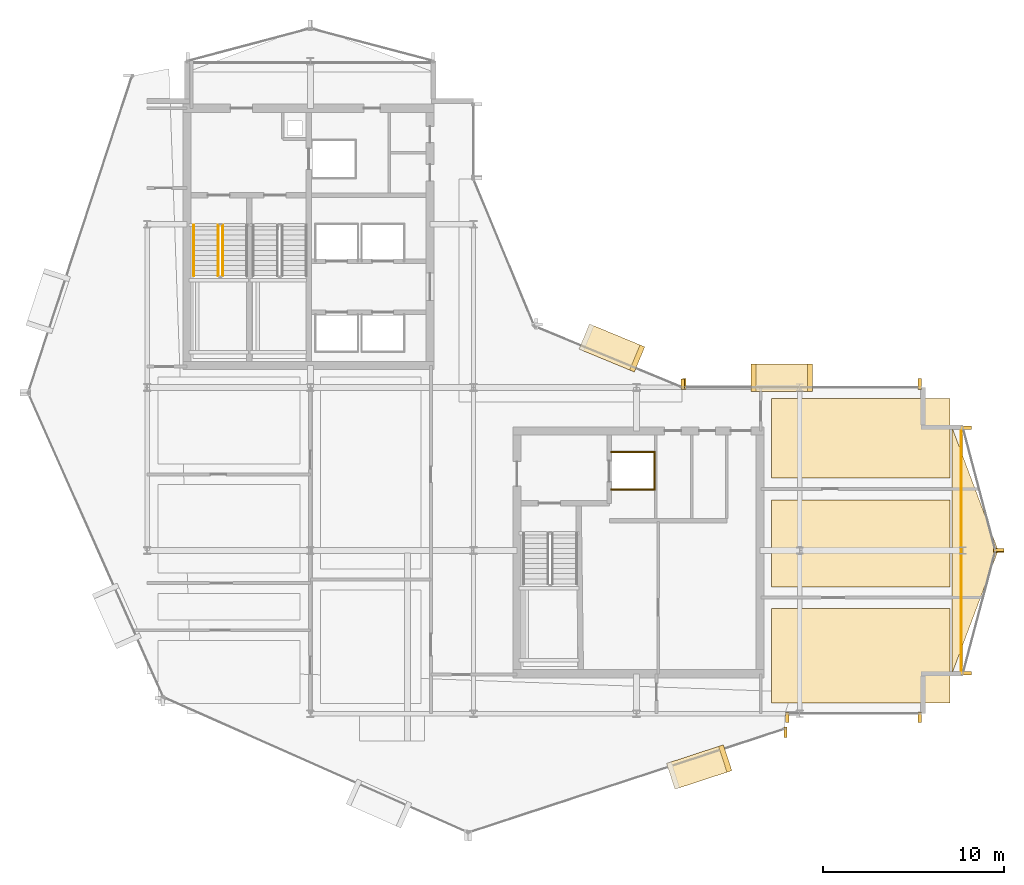
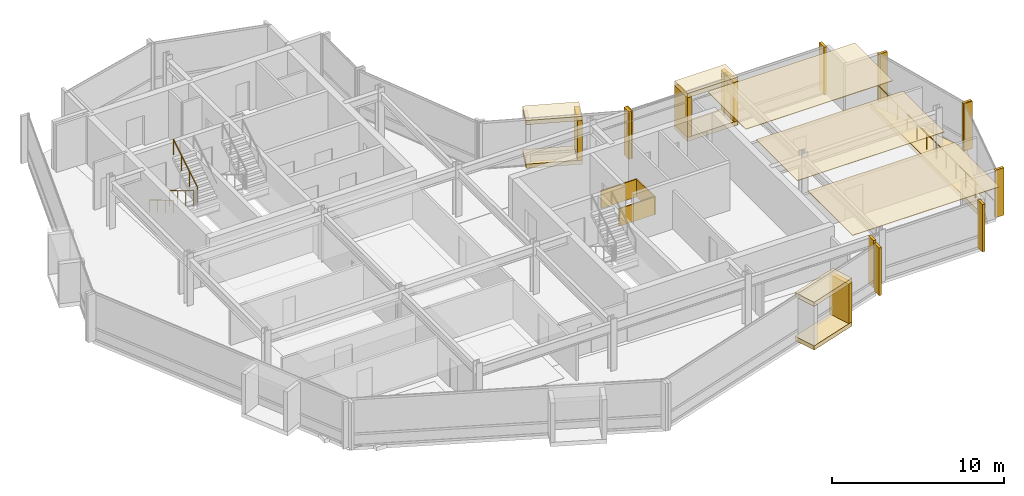
# One storey, part 26 of 27: 27 coverings, 4 railings.
"""IFC4 building model written with IfcOpenShell, lengths in metres."""

from ifc_helpers import new_model, si_unit, direction, frame, origin, origin_2d, place, context, subcontext, project, spatial, polyline, rectangle, circle, outline, extrude, material, layer, layer_set, type_object, element, save


model = new_model("IFC4")

# Units and contexts
model_context = context("Model", 3, precision=1e-05, world=origin(), true_north=direction((0.0, 1.0)))
body_context = subcontext(model_context, "Body", "Model", "MODEL_VIEW")
ifc_project = project(units=[si_unit("LENGTHUNIT", "METRE"), si_unit("AREAUNIT", "SQUARE_METRE"), si_unit("VOLUMEUNIT", "CUBIC_METRE"), si_unit("PLANEANGLEUNIT", "RADIAN"), si_unit("MASSUNIT", "GRAM", prefix="KILO")], contexts=[model_context])

# Site, building, storey
site_placement = place(None, origin())
site = spatial("IfcSite", under=ifc_project, at=site_placement, CompositionType="ELEMENT")
building_placement = place(site_placement, origin())
building = spatial("IfcBuilding", under=site, at=building_placement, Name="Solvaryn Broadcast Tower", CompositionType="ELEMENT")
storey_placement = place(building_placement, frame((0.0, 0.0, 232.10009765625)))
storey = spatial("IfcBuildingStorey", under=building, at=storey_placement, Name="L58", CompositionType="ELEMENT", Elevation=232.10009765625)

# Coverings
ifc_material_1 = material(Name="Micro-Perforated Acoustic Gypsum Ceiling", Category="concrete")
ifc_layer_1 = layer(ifc_material_1, 0.0400390625)
ifc_layer_set_1 = layer_set([ifc_layer_1], Name="CV-CEIL-ACOUSTIC")
covering_type_1 = type_object("IfcCoveringType", Name="CV-CEIL-ACOUSTIC", PredefinedType="CEILING", material=ifc_layer_set_1)
covering_1_placement = place(storey_placement, frame((0.0, 0.0, 3.329833984375)))
element("IfcCovering", 1, at=covering_1_placement, inside=storey, type_object=covering_type_1, Name="L58 Room Acoustic Ceiling 7", PredefinedType="CEILING", context=body_context, shape_type="SweptSolid", body=[
    extrude(outline(polyline([(43.449951171875, 9.60009765625), (53.300048828125, 9.60009765625), (53.300048828125, 14.800048828125), (43.449951171875, 14.800048828125), (43.449951171875, 9.60009765625)])), origin(), (0.0, 0.0, 1.0), 0.0400390625),
])
covering_2_placement = place(storey_placement, frame((0.0, 0.0, 3.329833984375)))
element("IfcCovering", 2, at=covering_2_placement, inside=storey, type_object=covering_type_1, Name="L58 Room Acoustic Ceiling 8", PredefinedType="CEILING", context=body_context, shape_type="SweptSolid", body=[
    extrude(outline(polyline([(43.449951171875, 16.0), (53.300048828125, 16.0), (53.300048828125, 20.800048828125), (43.449951171875, 20.800048828125), (43.449951171875, 16.0)])), origin(), (0.0, 0.0, 1.0), 0.0400390625),
])
covering_3_placement = place(storey_placement, frame((0.0, 0.0, 3.329833984375)))
element("IfcCovering", 3, at=covering_3_placement, inside=storey, type_object=covering_type_1, Name="L58 Room Acoustic Ceiling 9", PredefinedType="CEILING", context=body_context, shape_type="SweptSolid", body=[
    extrude(outline(polyline([(43.449951171875, 22.0), (53.300048828125, 22.0), (53.300048828125, 26.39990234375), (43.449951171875, 26.39990234375), (43.449951171875, 22.0)])), origin(), (0.0, 0.0, 1.0), 0.0400390625),
])
ifc_material_2 = material(Name="Fire-Rated Gypsum Shaftwall Liner", Category="concrete")
ifc_layer_2 = layer(ifc_material_2, 0.080078125)
ifc_layer_set_2 = layer_set([ifc_layer_2], Name="CV-SHAFT-LINER")
covering_type_2 = type_object("IfcCoveringType", Name="CV-SHAFT-LINER", PredefinedType="CLADDING", material=ifc_layer_set_2)
for number, where, z_axis, x_axis, name in (
    (4, (35.800048828125, 23.43994140625, 0.0), (0.0, 0.0, 1.0), (1.0, 0.0, 0.0), "L58 FL2 Hoistway Shaft Liner North"),
    (5, (35.800048828125, 21.360107421875, 0.0), (0.0, 0.0, 1.0), (1.0, 0.0, 0.0), "L58 FL2 Hoistway Shaft Liner South"),
):
    element("IfcCovering", number, at=place(storey_placement, frame(where, z_axis=z_axis, x_axis=x_axis)), inside=storey, type_object=covering_type_2, Name=name, PredefinedType="CLADDING", context=body_context, shape_type="SweptSolid", body=[
        extrude(rectangle(XDim=2.4599609375, YDim=0.080078125, at=origin_2d()), origin(), (0.0, 0.0, 1.0), 1.25),
    ])
covering_4_placement = place(storey_placement, frame((36.989990234375, 22.39990234375, 0.0), z_axis=(0.0, 0.0, 1.0), x_axis=(1.0, 0.0, 0.0)))
element("IfcCovering", 6, at=covering_4_placement, inside=storey, type_object=covering_type_2, Name="L58 FL2 Hoistway Shaft Liner East", PredefinedType="CLADDING", context=body_context, shape_type="SweptSolid", body=[
    extrude(rectangle(XDim=0.080078125, YDim=2.159912109375, at=origin_2d()), origin(), (0.0, 0.0, 1.0), 1.25),
])
ifc_material_3 = material(Name="Glazed Architectural Terracotta Rainscreen Cladding", Category="masonry")
ifc_layer_3 = layer(ifc_material_3, 0.280029296875)
ifc_layer_set_3 = layer_set([ifc_layer_3], Name="CV-TC-CLAD")
covering_type_3 = type_object("IfcCoveringType", Name="CV-TC-CLAD", PredefinedType="CLADDING", material=ifc_layer_set_3)
for number, where, z_axis, x_axis, name in (
    (7, (39.4541015625, 6.054931640625, 3.080078125), (0.0, 0.0, 1.0), (0.950244253402, 0.311505792684, 0.0), "L58 Projecting Stone Window Box Hood 4"),
    (8, (39.4541015625, 6.054931640625, -0.01025390625), (0.0, 0.0, 1.0), (0.950244253402, 0.311505792684, 0.0), "L58 Projecting Stone Window Box Sill 4"),
):
    element("IfcCovering", number, at=place(storey_placement, frame(where, z_axis=z_axis, x_axis=x_axis)), inside=storey, type_object=covering_type_3, Name=name, PredefinedType="CLADDING", context=body_context, shape_type="SweptSolid", body=[
        extrude(rectangle(XDim=3.300048828125, YDim=1.5, at=origin_2d()), origin(), (0.0, 0.0, 1.0), 0.300048828125),
    ])
covering_5_placement = place(storey_placement, frame((40.888916015625, 6.525390625, 0.27978515625), z_axis=(0.0, 0.0, 1.0), x_axis=(0.950244253402, 0.311505792684, 0.0)))
element("IfcCovering", 9, at=covering_5_placement, inside=storey, type_object=covering_type_3, Name="L58 Projecting Stone Window Box Cheek 4-2", PredefinedType="CLADDING", context=body_context, shape_type="SweptSolid", body=[
    extrude(rectangle(XDim=0.280029296875, YDim=1.5, at=origin_2d()), origin(), (0.0, 0.0, 1.0), 2.81005859375),
])
for number, where, z_axis, x_axis, name in (
    (10, (34.636962890625, 29.174072265625, 3.080078125), (0.0, 0.0, 1.0), (-0.923879532511, 0.382683432365, 0.0), "L58 Projecting Stone Window Box Hood 5"),
    (11, (34.636962890625, 29.174072265625, -0.01025390625), (0.0, 0.0, 1.0), (-0.923879532511, 0.382683432365, 0.0), "L58 Projecting Stone Window Box Sill 5"),
):
    element("IfcCovering", number, at=place(storey_placement, frame(where, z_axis=z_axis, x_axis=x_axis)), inside=storey, type_object=covering_type_3, Name=name, PredefinedType="CLADDING", context=body_context, shape_type="SweptSolid", body=[
        extrude(rectangle(XDim=3.300048828125, YDim=1.5, at=origin_2d()), origin(), (0.0, 0.0, 1.0), 0.300048828125),
    ])
covering_6_placement = place(storey_placement, frame((36.031982421875, 28.59619140625, 0.27978515625), z_axis=(0.0, 0.0, 1.0), x_axis=(-0.923879532511, 0.382683432365, 0.0)))
element("IfcCovering", 12, at=covering_6_placement, inside=storey, type_object=covering_type_3, Name="L58 Projecting Stone Window Box Cheek 5-1", PredefinedType="CLADDING", context=body_context, shape_type="SweptSolid", body=[
    extrude(rectangle(XDim=0.280029296875, YDim=1.5, at=origin_2d()), origin(), (0.0, 0.0, 1.0), 2.81005859375),
])
for number, where, z_axis, x_axis, name in (
    (13, (44.0, 27.530029296875, 3.080078125), (0.0, 0.0, 1.0), (1.0, 0.0, 0.0), "L58 Projecting Stone Window Box Hood 6"),
    (14, (44.0, 27.530029296875, -0.01025390625), (0.0, 0.0, 1.0), (1.0, 0.0, 0.0), "L58 Projecting Stone Window Box Sill 6"),
):
    element("IfcCovering", number, at=place(storey_placement, frame(where, z_axis=z_axis, x_axis=x_axis)), inside=storey, type_object=covering_type_3, Name=name, PredefinedType="CLADDING", context=body_context, shape_type="SweptSolid", body=[
        extrude(rectangle(XDim=3.39990234375, YDim=1.5, at=origin_2d()), origin(), (0.0, 0.0, 1.0), 0.300048828125),
    ])
for number, where, z_axis, x_axis, name in (
    (15, (42.43994140625, 27.530029296875, 0.27978515625), (0.0, 0.0, 1.0), (1.0, 0.0, 0.0), "L58 Projecting Stone Window Box Cheek 6-1"),
    (16, (45.56005859375, 27.530029296875, 0.27978515625), (0.0, 0.0, 1.0), (1.0, 0.0, 0.0), "L58 Projecting Stone Window Box Cheek 6-2"),
):
    element("IfcCovering", number, at=place(storey_placement, frame(where, z_axis=z_axis, x_axis=x_axis)), inside=storey, type_object=covering_type_3, Name=name, PredefinedType="CLADDING", context=body_context, shape_type="SweptSolid", body=[
        extrude(rectangle(XDim=0.280029296875, YDim=1.5, at=origin_2d()), origin(), (0.0, 0.0, 1.0), 2.81005859375),
    ])
ifc_material_4 = material(Name="Extruded Architectural Terracotta Fin", Category="masonry")
ifc_layer_4 = layer(ifc_material_4, 0.179931640625)
ifc_layer_set_4 = layer_set([ifc_layer_4], Name="CV-TC-FIN")
covering_type_4 = type_object("IfcCoveringType", Name="CV-TC-FIN", PredefinedType="USERDEFINED", material=ifc_layer_set_4)
for number, where, z_axis, x_axis, name in (
    (17, (44.209716796875, 7.982666015625, -0.000244140625), (0.0, 0.0, 1.0), (1.0, 0.0, 0.0), "L58 Terracotta Vertical Fin FIN-L58-DR4-M01"),
    (18, (38.541259765625, 27.177978515625, -0.000244140625), (0.0, 0.0, 1.0), (1.0, 0.0, 0.0), "L58 Terracotta Vertical Fin FIN-L58-CN1-M00"),
    (19, (44.31201171875, 8.8125, -0.000244140625), (0.0, 0.0, 1.0), (1.0, 0.0, 0.0), "L58 Terracotta Vertical Fin FIN-L58-S2-M00"),
    (20, (51.6201171875, 8.8125, -0.000244140625), (0.0, 0.0, 1.0), (1.0, 0.0, 0.0), "L58 Terracotta Vertical Fin FIN-L58-S2-M01"),
):
    element("IfcCovering", number, at=place(storey_placement, frame(where, z_axis=z_axis, x_axis=x_axis)), inside=storey, type_object=covering_type_4, Name=name, ObjectType="FIN", PredefinedType="USERDEFINED", context=body_context, shape_type="SweptSolid", body=[
        extrude(rectangle(XDim=0.179931640625, YDim=0.580078125, at=origin_2d()), origin(), (0.0, 0.0, 1.0), 3.3701171875),
    ])
for number, where, z_axis, x_axis, name in (
    (21, (54.1953125, 24.77099609375, -0.000244140625), (0.0, 0.0, 1.0), (1.0, 0.0, 0.0), "L58 Terracotta Vertical Fin FIN-L58-ET1-M00"),
    (22, (55.979736328125, 18.029052734375, -0.000244140625), (0.0, 0.0, 1.0), (1.0, 0.0, 0.0), "L58 Terracotta Vertical Fin FIN-L58-ET1-M01"),
    (23, (55.979736328125, 17.970947265625, -0.000244140625), (0.0, 0.0, 1.0), (1.0, 0.0, 0.0), "L58 Terracotta Vertical Fin FIN-L58-ET2-M00"),
    (24, (54.1953125, 11.22900390625, -0.000244140625), (0.0, 0.0, 1.0), (1.0, 0.0, 0.0), "L58 Terracotta Vertical Fin FIN-L58-ET2-M01"),
):
    element("IfcCovering", number, at=place(storey_placement, frame(where, z_axis=z_axis, x_axis=x_axis)), inside=storey, type_object=covering_type_4, Name=name, ObjectType="FIN", PredefinedType="USERDEFINED", context=body_context, shape_type="SweptSolid", body=[
        extrude(rectangle(XDim=0.580078125, YDim=0.179931640625, at=origin_2d()), origin(), (0.0, 0.0, 1.0), 3.3701171875),
    ])
for number, where, z_axis, x_axis, name in (
    (25, (38.6298828125, 27.1875, -0.000244140625), (0.0, 0.0, 1.0), (1.0, 0.0, 0.0), "L58 Terracotta Vertical Fin FIN-L58-IH-M00"),
    (26, (51.6201171875, 27.1875, -0.000244140625), (0.0, 0.0, 1.0), (1.0, 0.0, 0.0), "L58 Terracotta Vertical Fin FIN-L58-IH-M01"),
):
    element("IfcCovering", number, at=place(storey_placement, frame(where, z_axis=z_axis, x_axis=x_axis)), inside=storey, type_object=covering_type_4, Name=name, ObjectType="FIN", PredefinedType="USERDEFINED", context=body_context, shape_type="SweptSolid", body=[
        extrude(rectangle(XDim=0.179931640625, YDim=0.580078125, at=origin_2d()), origin(), (0.0, 0.0, 1.0), 3.3701171875),
    ])
ifc_material_5 = material(Name="Sculpted Architectural Terracotta Wave Fascia", Category="masonry")
ifc_layer_5 = layer(ifc_material_5, 0.340087890625)
ifc_layer_set_5 = layer_set([ifc_layer_5], Name="CV-WAVE-TRAY")
covering_type_5 = type_object("IfcCoveringType", Name="CV-WAVE-TRAY", PredefinedType="CLADDING", material=ifc_layer_set_5)
covering_7_placement = place(storey_placement, frame((0.0, 0.0, -0.300048828125)))
element("IfcCovering", 27, at=covering_7_placement, inside=storey, type_object=covering_type_5, Name="L58 East Curved Wing Deck", PredefinedType="CLADDING", context=body_context, shape_type="SweptSolid", body=[
    extrude(outline(polyline([(53.39990234375, 11.199951171875), (55.949951171875, 18.0), (53.39990234375, 24.800048828125), (53.39990234375, 11.199951171875)])), origin(), (0.0, 0.0, 1.0), 0.329833984375),
])

# Railings
ifc_material_6 = material(Name="Painted Steel Stair Well Guard", Category="steel")
railing_type_1 = type_object("IfcRailingType", Name="RL-STAIR-GUARD", PredefinedType="BALUSTRADE", material=ifc_material_6)
railing_1_placement = place(storey_placement, frame((12.909912109375, 35.9599609375, 0.16796875)))
element("IfcRailing", 28, at=railing_1_placement, inside=storey, type_object=railing_type_1, Name="L58 ST1 stair guard 1", PredefinedType="BALUSTRADE", context=body_context, shape_type="SweptSolid", body=[
    extrude(circle(Radius=0.02392578125, at=origin_2d()), frame((0.0, 0.0, 1.076171875), z_axis=(0.0, -0.857242210791, 0.514913383045), x_axis=(1.0, 0.0, 0.0)), (0.0, 0.0, 1.0), 3.266357421875),
    extrude(circle(Radius=0.02099609375, at=origin_2d()), origin(), (0.0, 0.0, 1.0), 1.052001953125),
    extrude(circle(Radius=0.02099609375, at=origin_2d()), frame((0.0, -0.933349609375, 0.560546875)), (0.0, 0.0, 1.0), 1.052001953125),
    extrude(circle(Radius=0.02099609375, at=origin_2d()), frame((0.0, -1.86669921875, 1.121337890625)), (0.0, 0.0, 1.0), 1.052001953125),
    extrude(circle(Radius=0.02099609375, at=origin_2d()), frame((0.0, -2.800048828125, 1.681884765625)), (0.0, 0.0, 1.0), 1.052001953125),
])
railing_2_placement = place(storey_placement, frame((13.159912109375, 33.159912109375, 2.01806640625)))
element("IfcRailing", 29, at=railing_2_placement, inside=storey, type_object=railing_type_1, Name="L58 ST1 stair guard 3", PredefinedType="BALUSTRADE", context=body_context, shape_type="SweptSolid", body=[
    extrude(circle(Radius=0.02392578125, at=origin_2d()), frame((0.0, 0.0, 1.076171875), z_axis=(0.0, 0.857242210791, 0.514913383045), x_axis=(-1.0, 0.0, 0.0)), (0.0, 0.0, 1.0), 3.266357421875),
    extrude(circle(Radius=0.02099609375, at=origin_2d()), origin(), (0.0, 0.0, 1.0), 1.052001953125),
    extrude(circle(Radius=0.02099609375, at=origin_2d()), frame((0.0, 0.933349609375, 0.560546875)), (0.0, 0.0, 1.0), 1.052001953125),
    extrude(circle(Radius=0.02099609375, at=origin_2d()), frame((0.0, 1.86669921875, 1.121337890625)), (0.0, 0.0, 1.0), 1.052001953125),
    extrude(circle(Radius=0.02099609375, at=origin_2d()), frame((0.0, 2.800048828125, 1.681884765625)), (0.0, 0.0, 1.0), 1.052001953125),
])
ifc_material_7 = material(Name="Brushed Stainless Steel Tubular Handrail", Category="steel")
railing_type_2 = type_object("IfcRailingType", Name="RL-STAIR-HANDRAIL", PredefinedType="HANDRAIL", material=ifc_material_7)
railing_3_placement = place(storey_placement, frame((11.570068359375, 35.9599609375, 0.16796875)))
element("IfcRailing", 30, at=railing_3_placement, inside=storey, type_object=railing_type_2, Name="L58 ST1 stair handrail 1", PredefinedType="HANDRAIL", context=body_context, shape_type="SweptSolid", body=[
    extrude(circle(Radius=0.02392578125, at=origin_2d()), frame((0.0, 0.0, 0.8759765625), z_axis=(0.0, -0.857242210791, 0.514913383045), x_axis=(1.0, 0.0, 0.0)), (0.0, 0.0, 1.0), 3.266357421875),
    extrude(circle(Radius=0.02099609375, at=origin_2d()), origin(), (0.0, 0.0, 1.0), 0.851806640625),
    extrude(circle(Radius=0.02099609375, at=origin_2d()), frame((0.0, -0.933349609375, 0.560546875)), (0.0, 0.0, 1.0), 0.851806640625),
    extrude(circle(Radius=0.02099609375, at=origin_2d()), frame((0.0, -1.86669921875, 1.121337890625)), (0.0, 0.0, 1.0), 0.851806640625),
    extrude(circle(Radius=0.02099609375, at=origin_2d()), frame((0.0, -2.800048828125, 1.681884765625)), (0.0, 0.0, 1.0), 0.851806640625),
])
ifc_material_8 = material(Name="Stainless Steel and Laminated Glass Guard", Category="steel")
railing_type_3 = type_object("IfcRailingType", Name="RL-TER-1150", PredefinedType="BALUSTRADE", material=ifc_material_8)
railing_4_placement = place(storey_placement, frame((53.919921875, 11.199951171875, 0.0)))
element("IfcRailing", 31, at=railing_4_placement, inside=storey, type_object=railing_type_3, Name="L58 East Wing Spandrel Edge Guard", PredefinedType="BALUSTRADE", context=body_context, shape_type="SweptSolid", body=[
    extrude(circle(Radius=0.02392578125, at=origin_2d()), frame((0.0, 0.0, 1.1259765625), z_axis=(0.0, 1.0, 0.0), x_axis=(-1.0, 0.0, 0.0)), (0.0, 0.0, 1.0), 13.60009765625),
    extrude(circle(Radius=0.02099609375, at=origin_2d()), origin(), (0.0, 0.0, 1.0), 1.101806640625),
    extrude(circle(Radius=0.02099609375, at=origin_2d()), frame((0.0, 1.13330078125, 0.0)), (0.0, 0.0, 1.0), 1.101806640625),
    extrude(circle(Radius=0.02099609375, at=origin_2d()), frame((0.0, 2.2666015625, 0.0)), (0.0, 0.0, 1.0), 1.101806640625),
    extrude(circle(Radius=0.02099609375, at=origin_2d()), frame((0.0, 3.39990234375, 0.0)), (0.0, 0.0, 1.0), 1.101806640625),
    extrude(circle(Radius=0.02099609375, at=origin_2d()), frame((0.0, 4.533447265625, 0.0)), (0.0, 0.0, 1.0), 1.101806640625),
    extrude(circle(Radius=0.02099609375, at=origin_2d()), frame((0.0, 5.666748046875, 0.0)), (0.0, 0.0, 1.0), 1.101806640625),
    extrude(circle(Radius=0.02099609375, at=origin_2d()), frame((0.0, 6.800048828125, 0.0)), (0.0, 0.0, 1.0), 1.101806640625),
    extrude(circle(Radius=0.02099609375, at=origin_2d()), frame((0.0, 7.933349609375, 0.0)), (0.0, 0.0, 1.0), 1.101806640625),
    extrude(circle(Radius=0.02099609375, at=origin_2d()), frame((0.0, 9.066650390625, 0.0)), (0.0, 0.0, 1.0), 1.101806640625),
    extrude(circle(Radius=0.02099609375, at=origin_2d()), frame((0.0, 10.2001953125, 0.0)), (0.0, 0.0, 1.0), 1.101806640625),
    extrude(circle(Radius=0.02099609375, at=origin_2d()), frame((0.0, 11.33349609375, 0.0)), (0.0, 0.0, 1.0), 1.101806640625),
    extrude(circle(Radius=0.02099609375, at=origin_2d()), frame((0.0, 12.466796875, 0.0)), (0.0, 0.0, 1.0), 1.101806640625),
    extrude(circle(Radius=0.02099609375, at=origin_2d()), frame((0.0, 13.60009765625, 0.0)), (0.0, 0.0, 1.0), 1.101806640625),
])

save(model, "model.ifc")
